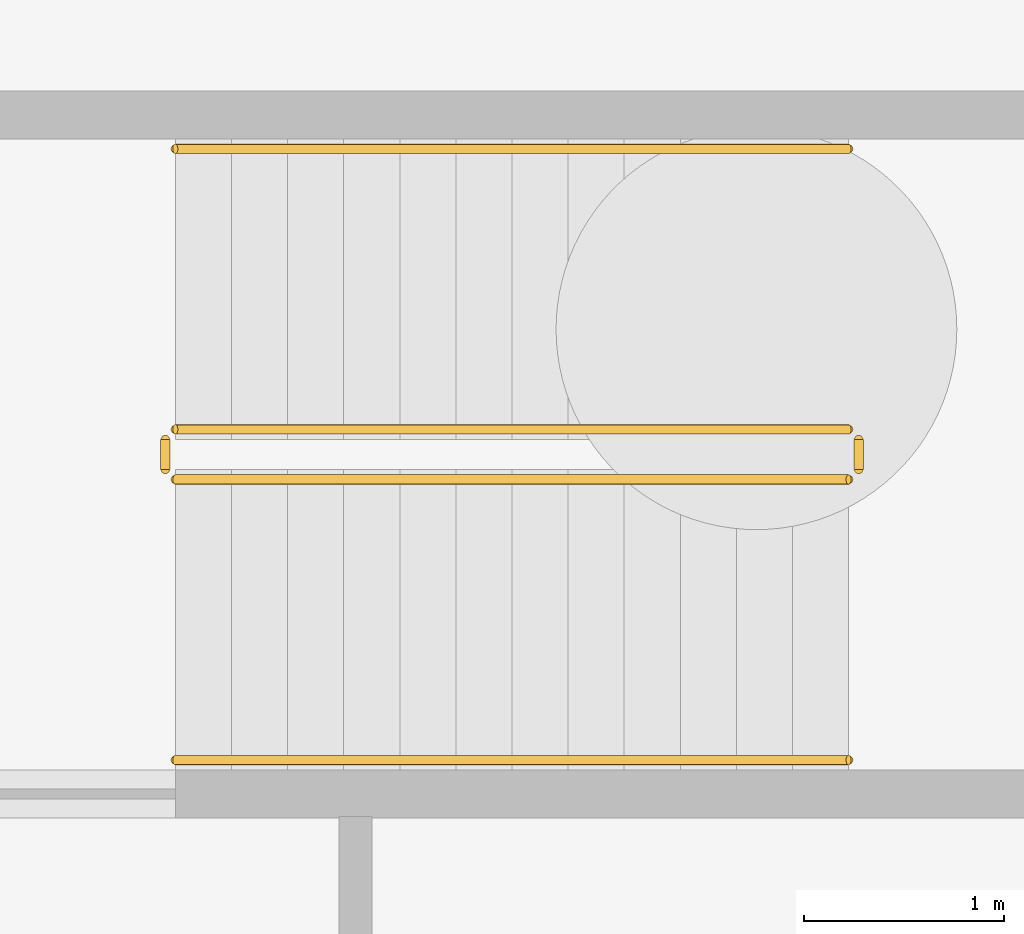
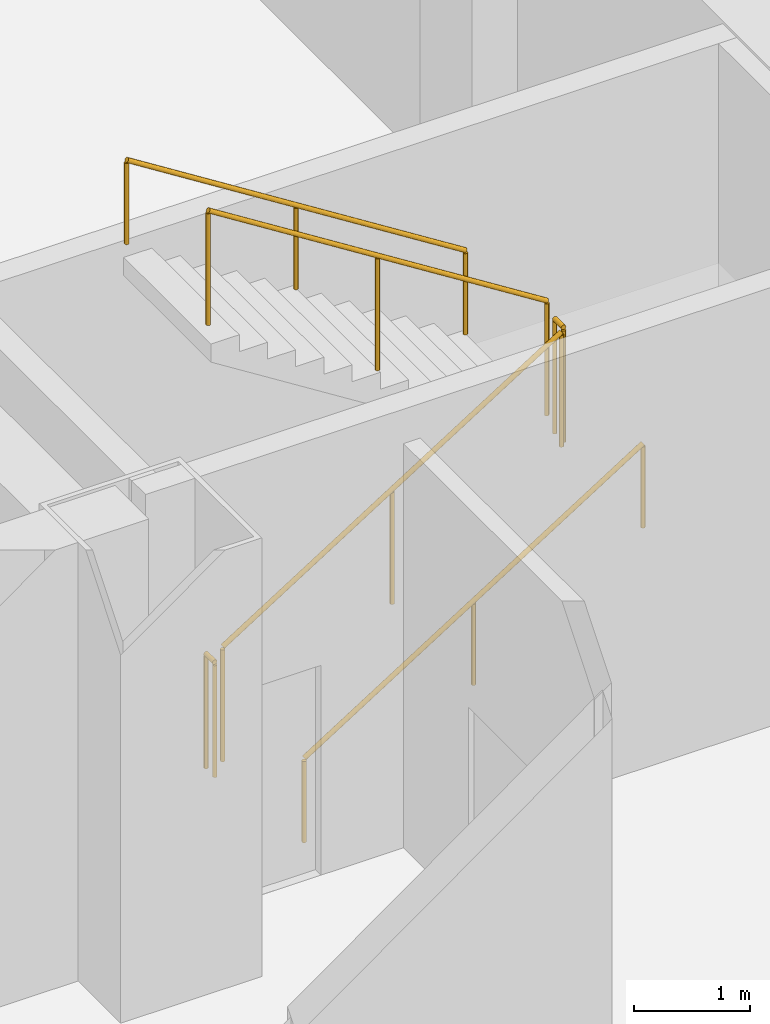
# One storey, part 7 of 8: 6 railings.
"""IFC4 building model written with IfcOpenShell, lengths in metres."""

from ifc_helpers import new_model, si_unit, direction, frame, origin, origin_2d, place, context, subcontext, project, spatial, circle, extrude, material, type_object, element, save


model = new_model("IFC4")

# Units and contexts
model_context = context("Model", 3, precision=1e-05, world=origin(), true_north=direction((0.0, 1.0)))
body_context = subcontext(model_context, "Body", "Model", "MODEL_VIEW")
ifc_project = project(units=[si_unit("LENGTHUNIT", "METRE"), si_unit("AREAUNIT", "SQUARE_METRE"), si_unit("VOLUMEUNIT", "CUBIC_METRE"), si_unit("PLANEANGLEUNIT", "RADIAN"), si_unit("MASSUNIT", "GRAM", prefix="KILO")], contexts=[model_context])

# Site, building, storey
site_placement = place(None, origin())
site = spatial("IfcSite", under=ifc_project, at=site_placement, CompositionType="ELEMENT")
building_placement = place(site_placement, origin())
building = spatial("IfcBuilding", under=site, at=building_placement, Name="Qianrong Seaharbour Tower", CompositionType="ELEMENT")
storey_placement = place(building_placement, frame((0.0, 0.0, -13.800048828125)))
storey = spatial("IfcBuildingStorey", under=building, at=storey_placement, Name="B03", CompositionType="ELEMENT", Elevation=-13.800048828125)

# Railings
ifc_material_1 = material(Name="Galvanized painted steel SN400B stair guard", Category="steel")
railing_type_1 = type_object("IfcRailingType", Name="RAIL-STAIR-GUARD-1220", PredefinedType="GUARDRAIL", material=ifc_material_1)
railing_1_placement = place(storey_placement, frame((65.89990234375, 38.050048828125, 0.177001953125)))
element("IfcRailing", 1, at=railing_1_placement, inside=storey, type_object=railing_type_1, Name="B03 BST-2 stair guard 1", PredefinedType="GUARDRAIL", context=body_context, shape_type="SweptSolid", body=[
    extrude(circle(Radius=0.02392578125, at=origin_2d()), frame((0.0, 0.0, 1.19580078125), z_axis=(0.845389635667, 0.0, 0.534150132366), x_axis=(0.0, 1.0, 0.0)), (0.0, 0.0, 1.0), 3.974609375),
    extrude(circle(Radius=0.02099609375, at=origin_2d()), origin(), (0.0, 0.0, 1.0), 1.171875),
    extrude(circle(Radius=0.02099609375, at=origin_2d()), frame((1.68017578125, 0.0, 1.0615234375)), (0.0, 0.0, 1.0), 1.171875),
    extrude(circle(Radius=0.02099609375, at=origin_2d()), frame((3.360107421875, 0.0, 2.123046875)), (0.0, 0.0, 1.0), 1.171875),
])
railing_2_placement = place(storey_placement, frame((69.31005859375, 38.10009765625, 2.300048828125)))
element("IfcRailing", 2, at=railing_2_placement, inside=storey, type_object=railing_type_1, Name="B03 BST-2 stair guard 2", PredefinedType="GUARDRAIL", context=body_context, shape_type="SweptSolid", body=[
    extrude(circle(Radius=0.02392578125, at=origin_2d()), frame((0.0, 0.0, 1.19580078125), z_axis=(0.0, 1.0, 0.0), x_axis=(-1.0, 0.0, 0.0)), (0.0, 0.0, 1.0), 0.14990234375),
    extrude(circle(Radius=0.02099609375, at=origin_2d()), origin(), (0.0, 0.0, 1.0), 1.171875),
    extrude(circle(Radius=0.02099609375, at=origin_2d()), frame((0.0, 0.14990234375, 0.0)), (0.0, 0.0, 1.0), 1.171875),
])
railing_3_placement = place(storey_placement, frame((69.260009765625, 38.300048828125, 2.47705078125)))
element("IfcRailing", 3, at=railing_3_placement, inside=storey, type_object=railing_type_1, Name="B03 BST-2 stair guard 3", PredefinedType="GUARDRAIL", context=body_context, shape_type="SweptSolid", body=[
    extrude(circle(Radius=0.02392578125, at=origin_2d()), frame((0.0, 0.0, 1.19580078125), z_axis=(-0.845389635667, 0.0, 0.534150132366), x_axis=(0.0, -1.0, 0.0)), (0.0, 0.0, 1.0), 3.974609375),
    extrude(circle(Radius=0.02099609375, at=origin_2d()), origin(), (0.0, 0.0, 1.0), 1.171875),
    extrude(circle(Radius=0.02099609375, at=origin_2d()), frame((-1.68017578125, 0.0, 1.0615234375)), (0.0, 0.0, 1.0), 1.171875),
    extrude(circle(Radius=0.02099609375, at=origin_2d()), frame((-3.360107421875, 0.0, 2.123046875)), (0.0, 0.0, 1.0), 1.171875),
])
railing_4_placement = place(storey_placement, frame((65.85009765625, 38.10009765625, 0.0)))
element("IfcRailing", 4, at=railing_4_placement, inside=storey, type_object=railing_type_1, Name="B03 BST-2 stair guard 4", PredefinedType="GUARDRAIL", context=body_context, shape_type="SweptSolid", body=[
    extrude(circle(Radius=0.02392578125, at=origin_2d()), frame((0.0, 0.0, 1.19580078125), z_axis=(0.0, 1.0, 0.0), x_axis=(-1.0, 0.0, 0.0)), (0.0, 0.0, 1.0), 0.14990234375),
    extrude(circle(Radius=0.02099609375, at=origin_2d()), origin(), (0.0, 0.0, 1.0), 1.171875),
    extrude(circle(Radius=0.02099609375, at=origin_2d()), frame((0.0, 0.14990234375, 0.0)), (0.0, 0.0, 1.0), 1.171875),
])
ifc_material_2 = material(Name="Stainless steel SUS316L continuous handrail", Category="steel")
railing_type_2 = type_object("IfcRailingType", Name="RAIL-STAIR-HANDRAIL-900", PredefinedType="HANDRAIL", material=ifc_material_2)
railing_5_placement = place(storey_placement, frame((65.89990234375, 36.64990234375, 0.177001953125)))
element("IfcRailing", 5, at=railing_5_placement, inside=storey, type_object=railing_type_2, Name="B03 BST-2 stair handrail 1", PredefinedType="HANDRAIL", context=body_context, shape_type="SweptSolid", body=[
    extrude(circle(Radius=0.02392578125, at=origin_2d()), frame((0.0, 0.0, 0.8759765625), z_axis=(0.845389635667, 0.0, 0.534150132366), x_axis=(0.0, 1.0, 0.0)), (0.0, 0.0, 1.0), 3.974609375),
    extrude(circle(Radius=0.02099609375, at=origin_2d()), origin(), (0.0, 0.0, 1.0), 0.851806640625),
    extrude(circle(Radius=0.02099609375, at=origin_2d()), frame((1.68017578125, 0.0, 1.0615234375)), (0.0, 0.0, 1.0), 0.851806640625),
    extrude(circle(Radius=0.02099609375, at=origin_2d()), frame((3.360107421875, 0.0, 2.123046875)), (0.0, 0.0, 1.0), 0.851806640625),
])
railing_6_placement = place(storey_placement, frame((69.260009765625, 39.699951171875, 2.47705078125)))
element("IfcRailing", 6, at=railing_6_placement, inside=storey, type_object=railing_type_2, Name="B03 BST-2 stair handrail 2", PredefinedType="HANDRAIL", context=body_context, shape_type="SweptSolid", body=[
    extrude(circle(Radius=0.02392578125, at=origin_2d()), frame((0.0, 0.0, 0.8759765625), z_axis=(-0.845389635667, 0.0, 0.534150132366), x_axis=(0.0, -1.0, 0.0)), (0.0, 0.0, 1.0), 3.974609375),
    extrude(circle(Radius=0.02099609375, at=origin_2d()), origin(), (0.0, 0.0, 1.0), 0.851806640625),
    extrude(circle(Radius=0.02099609375, at=origin_2d()), frame((-1.68017578125, 0.0, 1.0615234375)), (0.0, 0.0, 1.0), 0.851806640625),
    extrude(circle(Radius=0.02099609375, at=origin_2d()), frame((-3.360107421875, 0.0, 2.123046875)), (0.0, 0.0, 1.0), 0.851806640625),
])

save(model, "model.ifc")
